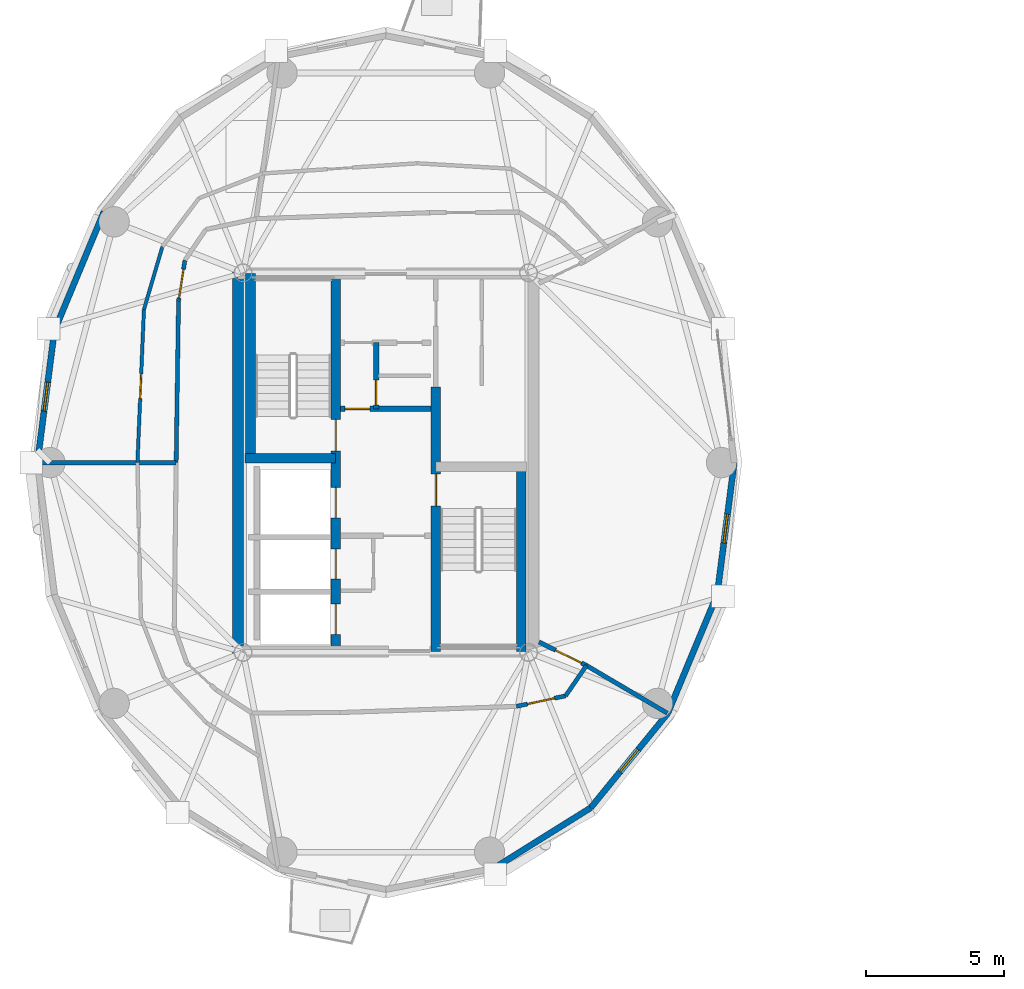
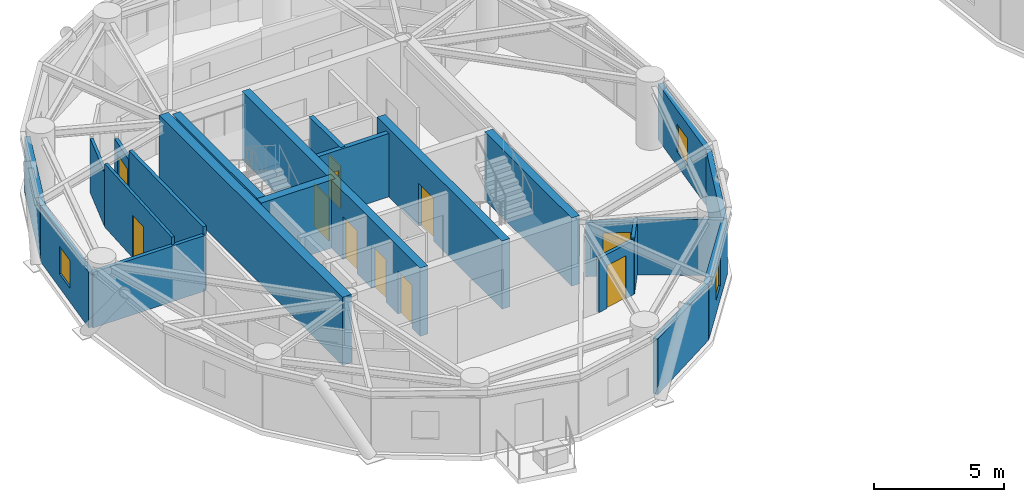
# One storey, part 8 of 16: 23 walls, 11 doors, 3 windows, 14 openings.
"""IFC4 building model written with IfcOpenShell, lengths in metres."""

from ifc_helpers import new_model, si_unit, direction, frame, frame_2d, origin, place, context, subcontext, project, spatial, rectangle, extrude, source, transform, mapped, material, layer, layer_set, type_object, element, fill, save


model = new_model("IFC4")

# Units and contexts
model_context = context("Model", 3, precision=1e-05, world=origin(), true_north=direction((0.0, 1.0)))
body_context = subcontext(model_context, "Body", "Model", "MODEL_VIEW")
ifc_project = project(units=[si_unit("LENGTHUNIT", "METRE"), si_unit("AREAUNIT", "SQUARE_METRE"), si_unit("VOLUMEUNIT", "CUBIC_METRE"), si_unit("PLANEANGLEUNIT", "RADIAN"), si_unit("MASSUNIT", "GRAM", prefix="KILO")], contexts=[model_context])

# Site, building, storey
site_placement = place(None, origin())
site = spatial("IfcSite", under=ifc_project, at=site_placement, CompositionType="ELEMENT")
building_placement = place(site_placement, origin())
building = spatial("IfcBuilding", under=site, at=building_placement, Name="Cununo Teusaquillo Station Towers", CompositionType="ELEMENT")
storey_placement = place(building_placement, frame((0.0, 0.0, 226.050048828125)))
storey = spatial("IfcBuildingStorey", under=building, at=storey_placement, Name="L72", CompositionType="ELEMENT", Elevation=226.050048828125)

# Wall, openings, doors
ifc_material_1 = material(Name="Concrete C50/60", Category="concrete")
ifc_layer_1 = layer(ifc_material_1, 0.35009765625)
ifc_layer_set_1 = layer_set([ifc_layer_1], Name="Concrete C50/60")
wall_type_1 = type_object("IfcWallType", Name="WL-CORE-350", PredefinedType="SHEAR", material=ifc_layer_set_1)
wall_1_placement = place(storey_placement, frame((14.68505859375, 17.64990234375, 0.0), z_axis=(0.0, 0.0, 1.0), x_axis=(0.0, 1.0, 0.0)))
wall_1 = element("IfcWall", 1, at=wall_1_placement, inside=storey, type_object=wall_type_1, Name="L72 Tower A Core Shear Wall IW", PredefinedType="SHEAR", context=body_context, shape_type="SweptSolid", body=[
    extrude(rectangle(XDim=13.7001953125, YDim=0.35009765625, at=frame_2d((6.85009765625, 0.0))), origin(), (0.0, 0.0, 1.0), 3.199951171875),
])
shared_shape_1 = source(origin(), body_context, "Body", "SweptSolid", [
    extrude(rectangle(XDim=1.10009765625, YDim=2.014892578125, at=frame_2d((0.550048828125, 1.00732421875))), frame((0.0, 0.18505859375, 0.0), z_axis=(0.0, -1.0, 0.0), x_axis=(1.0, 0.0, 0.0)), (0.0, 0.0, 1.0), 0.3701171875),
])
opening_1_placement = place(wall_1_placement, frame((4.85009765625, 0.0, 0.0)))
opening_1 = element("IfcOpeningElement", 2, at=opening_1_placement, cuts=wall_1, Name="Opening LD-01", PredefinedType="OPENING", context=body_context, shape_type="MappedRepresentation", body=[
    mapped(shared_shape_1, transform((0.0, 0.0, 0.0), x_axis=(1.0, 0.0, 0.0), y_axis=(0.0, 1.0, 0.0), z_axis=(0.0, 0.0, 1.0), scale=1.0)),
])
opening_2_placement = place(wall_1_placement, frame((0.625, 0.0, 0.0)))
opening_2 = element("IfcOpeningElement", 3, at=opening_2_placement, cuts=wall_1, Name="Opening LD-01", PredefinedType="OPENING", context=body_context, shape_type="MappedRepresentation", body=[
    mapped(shared_shape_1, transform((0.0, 0.0, 0.0), x_axis=(1.0, 0.0, 0.0), y_axis=(0.0, 1.0, 0.0), z_axis=(0.0, 0.0, 1.0), scale=1.0)),
])
opening_3_placement = place(wall_1_placement, frame((2.625, 0.0, 0.0)))
opening_3 = element("IfcOpeningElement", 4, at=opening_3_placement, cuts=wall_1, Name="Opening LD-01", PredefinedType="OPENING", context=body_context, shape_type="MappedRepresentation", body=[
    mapped(shared_shape_1, transform((0.0, 0.0, 0.0), x_axis=(1.0, 0.0, 0.0), y_axis=(0.0, 1.0, 0.0), z_axis=(0.0, 0.0, 1.0), scale=1.0)),
])
shared_shape_2 = source(origin(), body_context, "Body", "SweptSolid", [
    extrude(rectangle(XDim=1.14990234375, YDim=2.02001953125, at=frame_2d((0.574951171875, 1.010009765625))), frame((0.0, 0.18505859375, 0.0), z_axis=(0.0, -1.0, 0.0), x_axis=(1.0, 0.0, 0.0)), (0.0, 0.0, 1.0), 0.3701171875),
])
opening_4_placement = place(wall_1_placement, frame((7.27001953125, 0.0, 0.0)))
opening_4 = element("IfcOpeningElement", 5, at=opening_4_placement, cuts=wall_1, Name="Opening D-ST1", PredefinedType="OPENING", context=body_context, shape_type="MappedRepresentation", body=[
    mapped(shared_shape_2, transform((0.0, 0.0, 0.0), x_axis=(1.0, 0.0, 0.0), y_axis=(0.0, 1.0, 0.0), z_axis=(0.0, 0.0, 1.0), scale=1.0)),
])
ifc_material_2 = material(Name="Galvanised fire-rated hollow steel door assembly", Category="steel")
door_type_1 = type_object("IfcDoorType", Name="DR-LIFT-1100", OperationType="SLIDING_TO_LEFT", PredefinedType="DOOR", material=ifc_material_2)
shared_shape_3 = source(origin(), body_context, "Body", "SweptSolid", [
    extrude(rectangle(XDim=1.10009765625, YDim=2.014892578125, at=frame_2d((0.550048828125, 1.00732421875))), frame((0.0, 0.02490234375, 0.0), z_axis=(0.0, -1.0, 0.0), x_axis=(1.0, 0.0, 0.0)), (0.0, 0.0, 1.0), 0.050048828125),
])
door_1_placement = place(opening_1_placement, origin())
door_1 = element("IfcDoor", 6, at=door_1_placement, inside=storey, type_object=door_type_1, Name="L72 Lift FL-T1 Sliding Landing Door", OperationType="SLIDING_TO_LEFT", OverallHeight=2.014892578125, OverallWidth=1.10009765625, PredefinedType="DOOR", context=body_context, shape_type="MappedRepresentation", body=[
    mapped(shared_shape_3, transform((0.0, 0.0, 0.0), x_axis=(1.0, 0.0, 0.0), y_axis=(0.0, 1.0, 0.0), z_axis=(0.0, 0.0, 1.0), scale=1.0)),
])
fill(opening_1, door_1)
door_2_placement = place(opening_2_placement, origin())
door_2 = element("IfcDoor", 7, at=door_2_placement, inside=storey, type_object=door_type_1, Name="L72 Lift PL-T1-H1 Sliding Landing Door", OperationType="SLIDING_TO_LEFT", OverallHeight=2.014892578125, OverallWidth=1.10009765625, PredefinedType="DOOR", context=body_context, shape_type="MappedRepresentation", body=[
    mapped(shared_shape_3, transform((0.0, 0.0, 0.0), x_axis=(1.0, 0.0, 0.0), y_axis=(0.0, 1.0, 0.0), z_axis=(0.0, 0.0, 1.0), scale=1.0)),
])
fill(opening_2, door_2)
door_3_placement = place(opening_3_placement, origin())
door_3 = element("IfcDoor", 8, at=door_3_placement, inside=storey, type_object=door_type_1, Name="L72 Lift PL-T1-H2 Sliding Landing Door", OperationType="SLIDING_TO_RIGHT", OverallHeight=2.014892578125, OverallWidth=1.10009765625, PredefinedType="DOOR", context=body_context, shape_type="MappedRepresentation", body=[
    mapped(shared_shape_3, transform((0.0, 0.0, 0.0), x_axis=(1.0, 0.0, 0.0), y_axis=(0.0, 1.0, 0.0), z_axis=(0.0, 0.0, 1.0), scale=1.0)),
])
fill(opening_3, door_3)
ifc_material_3 = material(Name="Galvanised fire-rated hollow steel door assembly", Category="steel")
door_type_2 = type_object("IfcDoorType", Name="DR-STAIR-1150", OperationType="NOTDEFINED", PredefinedType="DOOR", material=ifc_material_3)
shared_shape_4 = source(origin(), body_context, "Body", "SweptSolid", [
    extrude(rectangle(XDim=1.14990234375, YDim=2.02001953125, at=frame_2d((0.574951171875, 1.010009765625))), frame((0.0, 0.02490234375, 0.0), z_axis=(0.0, -1.0, 0.0), x_axis=(1.0, 0.0, 0.0)), (0.0, 0.0, 1.0), 0.050048828125),
])
door_4_placement = place(opening_4_placement, origin())
door_4 = element("IfcDoor", 9, at=door_4_placement, inside=storey, type_object=door_type_2, Name="L72 Tower A Exit Stair 1 Fire Door", OperationType="SINGLE_SWING_RIGHT", OverallHeight=2.02001953125, OverallWidth=1.14990234375, PredefinedType="DOOR", context=body_context, shape_type="MappedRepresentation", body=[
    mapped(shared_shape_4, transform((0.0, 0.0, 0.0), x_axis=(1.0, 0.0, 0.0), y_axis=(0.0, 1.0, 0.0), z_axis=(0.0, 0.0, 1.0), scale=1.0)),
])
fill(opening_4, door_4)

# Wall, opening, door
wall_2_placement = place(storey_placement, frame((18.31494140625, 17.64990234375, 0.0), z_axis=(0.0, 0.0, 1.0), x_axis=(0.0, 1.0, 0.0)))
wall_2 = element("IfcWall", 10, at=wall_2_placement, inside=storey, type_object=wall_type_1, Name="L72 Tower A Core Shear Wall IE", PredefinedType="SHEAR", context=body_context, shape_type="SweptSolid", body=[
    extrude(rectangle(XDim=9.60009765625, YDim=0.35009765625, at=frame_2d((4.800048828125, 0.0))), origin(), (0.0, 0.0, 1.0), 3.199951171875),
])
opening_5_placement = place(wall_2_placement, frame((5.280029296875, 0.0, 0.0)))
opening_5 = element("IfcOpeningElement", 11, at=opening_5_placement, cuts=wall_2, Name="Opening D-ST1", PredefinedType="OPENING", context=body_context, shape_type="MappedRepresentation", body=[
    mapped(shared_shape_2, transform((0.0, 0.0, 0.0), x_axis=(1.0, 0.0, 0.0), y_axis=(0.0, 1.0, 0.0), z_axis=(0.0, 0.0, 1.0), scale=1.0)),
])
door_5_placement = place(opening_5_placement, origin())
door_5 = element("IfcDoor", 12, at=door_5_placement, inside=storey, type_object=door_type_2, Name="L72 Tower A Exit Stair 2 Fire Door", OperationType="SINGLE_SWING_LEFT", OverallHeight=2.02001953125, OverallWidth=1.14990234375, PredefinedType="DOOR", context=body_context, shape_type="MappedRepresentation", body=[
    mapped(shared_shape_4, transform((0.0, 0.0, 0.0), x_axis=(1.0, 0.0, 0.0), y_axis=(0.0, 1.0, 0.0), z_axis=(0.0, 0.0, 1.0), scale=1.0)),
])
fill(opening_5, door_5)

# Walls
wall_3_placement = place(storey_placement, frame((11.594970703125, 24.655029296875, 0.0), z_axis=(0.0, 0.0, 1.0), x_axis=(0.0, 1.0, 0.0)))
element("IfcWall", 13, at=wall_3_placement, inside=storey, type_object=wall_type_1, Name="L72 Tower A Core Shear Wall ST1W", PredefinedType="SHEAR", context=body_context, shape_type="SweptSolid", body=[
    extrude(rectangle(XDim=6.695068359375, YDim=0.35009765625, at=frame_2d((3.34765625, 0.0))), origin(), (0.0, 0.0, 1.0), 3.199951171875),
])
wall_4_placement = place(storey_placement, frame((11.39990234375, 24.655029296875, 0.0), z_axis=(0.0, 0.0, 1.0), x_axis=(1.0, 0.0, 0.0)))
element("IfcWall", 14, at=wall_4_placement, inside=storey, type_object=wall_type_1, Name="L72 Tower A Core Shear Wall ST1S", PredefinedType="SHEAR", context=body_context, shape_type="SweptSolid", body=[
    extrude(rectangle(XDim=3.28515625, YDim=0.35009765625, at=frame_2d((1.642578125, 0.0))), origin(), (0.0, 0.0, 1.0), 3.199951171875),
])
wall_5_placement = place(storey_placement, frame((21.405029296875, 17.64990234375, 0.0), z_axis=(0.0, 0.0, 1.0), x_axis=(0.0, 1.0, 0.0)))
element("IfcWall", 15, at=wall_5_placement, inside=storey, type_object=wall_type_1, Name="L72 Tower A Core Shear Wall ST2E", PredefinedType="SHEAR", context=body_context, shape_type="SweptSolid", body=[
    extrude(rectangle(XDim=6.695068359375, YDim=0.35009765625, at=frame_2d((3.34765625, 0.0))), origin(), (0.0, 0.0, 1.0), 3.199951171875),
])
ifc_material_4 = material(Name="Concrete C50/60", Category="concrete")
ifc_layer_2 = layer(ifc_material_4, 0.39990234375)
ifc_layer_set_2 = layer_set([ifc_layer_2], Name="Concrete C50/60")
wall_type_2 = type_object("IfcWallType", Name="WL-CORE-400", PredefinedType="SHEAR", material=ifc_layer_set_2)
wall_6_placement = place(storey_placement, frame((11.14990234375, 17.449951171875, 0.0), z_axis=(0.0, 0.0, 1.0), x_axis=(0.0, 1.0, 0.0)))
element("IfcWall", 16, at=wall_6_placement, inside=storey, type_object=wall_type_2, Name="L72 Tower A Core Shear Wall W", PredefinedType="SHEAR", context=body_context, shape_type="SweptSolid", body=[
    extrude(rectangle(XDim=14.10009765625, YDim=0.39990234375, at=frame_2d((7.050048828125, 0.0))), origin(), (0.0, 0.0, 1.0), 3.199951171875),
])
ifc_material_5 = material(Name="Precast concrete C40/50", Category="concrete")
ifc_layer_3 = layer(ifc_material_5, 0.219970703125)
ifc_layer_set_3 = layer_set([ifc_layer_3], Name="Precast concrete C40/50")
wall_type_3 = type_object("IfcWallType", Name="WL-EXT-220", PredefinedType="SOLIDWALL", material=ifc_layer_set_3)
wall_7_placement = place(storey_placement, frame((4.48828125, 29.280517578125, 0.0), z_axis=(0.0, 0.0, 1.0), x_axis=(0.384036305194, 0.923317993052, 0.0)))
element("IfcWall", 17, at=wall_7_placement, inside=storey, type_object=wall_type_3, Name="L72 Tower A Exterior Facade Wall C08", PredefinedType="SOLIDWALL", context=body_context, shape_type="SweptSolid", body=[
    extrude(rectangle(XDim=4.670654296875, YDim=0.219970703125, at=frame_2d((2.33544921875, 0.0))), origin(), (0.0, 0.0, 1.0), 2.612060546875),
])

# Wall, opening, window
wall_8_placement = place(storey_placement, frame((3.8701171875, 24.5, 0.0), z_axis=(0.0, 0.0, 1.0), x_axis=(0.128241318541, 0.991742993027, 0.0)))
wall_8 = element("IfcWall", 18, at=wall_8_placement, inside=storey, type_object=wall_type_3, Name="L72 Tower A Exterior Facade Wall C09", PredefinedType="SOLIDWALL", context=body_context, shape_type="SweptSolid", body=[
    extrude(rectangle(XDim=4.8203125, YDim=0.219970703125, at=frame_2d((2.41015625, 0.0))), origin(), (0.0, 0.0, 1.0), 2.612060546875),
])
shared_shape_5 = source(origin(), body_context, "Body", "SweptSolid", [
    extrude(rectangle(XDim=1.050048828125, YDim=1.300048828125, at=frame_2d((0.52490234375, 0.64990234375))), frame((0.0, 0.119873046875, 0.0), z_axis=(0.0, -1.0, 0.0), x_axis=(1.0, 0.0, 0.0)), (0.0, 0.0, 1.0), 0.239990234375),
])
opening_6_placement = place(wall_8_placement, frame((1.885009765625, 0.0, 0.64990234375)))
opening_6 = element("IfcOpeningElement", 19, at=opening_6_placement, cuts=wall_8, Name="Opening WN-04", PredefinedType="OPENING", context=body_context, shape_type="MappedRepresentation", body=[
    mapped(shared_shape_5, transform((0.0, 0.0, 0.0), x_axis=(1.0, 0.0, 0.0), y_axis=(0.0, 1.0, 0.0), z_axis=(0.0, 0.0, 1.0), scale=1.0)),
])
ifc_material_6 = material(Name="Operable acoustic tinted low-E double glazing", Category="glass")
window_type = type_object("IfcWindowType", Name="WIN-BAL-1050", PartitioningType="SINGLE_PANEL", PredefinedType="WINDOW", material=ifc_material_6)
shared_shape_6 = source(origin(), body_context, "Body", "SweptSolid", [
    extrude(rectangle(XDim=1.050048828125, YDim=1.300048828125, at=frame_2d((0.52490234375, 0.64990234375))), frame((0.0, 0.030029296875, 0.0), z_axis=(0.0, -1.0, 0.0), x_axis=(1.0, 0.0, 0.0)), (0.0, 0.0, 1.0), 0.06005859375),
])
window_1_placement = place(opening_6_placement, origin())
window_1 = element("IfcWindow", 20, at=window_1_placement, inside=storey, type_object=window_type, Name="L72 Tower A Facade Window C09", OverallHeight=1.300048828125, OverallWidth=1.050048828125, PartitioningType="SINGLE_PANEL", PredefinedType="WINDOW", context=body_context, shape_type="MappedRepresentation", body=[
    mapped(shared_shape_6, transform((0.0, 0.0, 0.0), x_axis=(1.0, 0.0, 0.0), y_axis=(0.0, 1.0, 0.0), z_axis=(0.0, 0.0, 1.0), scale=1.0)),
])
fill(opening_6, window_1)

# Wall
wall_9_placement = place(storey_placement, frame((23.923583984375, 11.984619140625, 0.0), z_axis=(0.0, 0.0, 1.0), x_axis=(-0.848318713376, -0.529485939886, 0.0)))
element("IfcWall", 21, at=wall_9_placement, inside=storey, type_object=wall_type_3, Name="L72 Tower A Exterior Facade Wall C16", PredefinedType="SOLIDWALL", context=body_context, shape_type="SweptSolid", body=[
    extrude(rectangle(XDim=4.150390625, YDim=0.219970703125, at=frame_2d((2.0751953125, 0.0))), origin(), (0.0, 0.0, 1.0), 2.612060546875),
])

# Wall, opening, window
wall_10_placement = place(storey_placement, frame((26.718017578125, 15.406982421875, 0.0), z_axis=(0.0, 0.0, 1.0), x_axis=(-0.632467166636, -0.774587169483, 0.0)))
wall_10 = element("IfcWall", 22, at=wall_10_placement, inside=storey, type_object=wall_type_3, Name="L72 Tower A Exterior Facade Wall C17", PredefinedType="SOLIDWALL", context=body_context, shape_type="SweptSolid", body=[
    extrude(rectangle(XDim=4.418212890625, YDim=0.219970703125, at=frame_2d((2.208984375, 0.0))), origin(), (0.0, 0.0, 1.0), 2.612060546875),
])
opening_7_placement = place(wall_10_placement, frame((1.68408203125, 0.0, 0.64990234375)))
opening_7 = element("IfcOpeningElement", 23, at=opening_7_placement, cuts=wall_10, Name="Opening WN-04", PredefinedType="OPENING", context=body_context, shape_type="MappedRepresentation", body=[
    mapped(shared_shape_5, transform((0.0, 0.0, 0.0), x_axis=(1.0, 0.0, 0.0), y_axis=(0.0, 1.0, 0.0), z_axis=(0.0, 0.0, 1.0), scale=1.0)),
])
window_2_placement = place(opening_7_placement, origin())
window_2 = element("IfcWindow", 24, at=window_2_placement, inside=storey, type_object=window_type, Name="L72 Tower A Facade Window C17", OverallHeight=1.300048828125, OverallWidth=1.050048828125, PartitioningType="SINGLE_PANEL", PredefinedType="WINDOW", context=body_context, shape_type="MappedRepresentation", body=[
    mapped(shared_shape_6, transform((0.0, 0.0, 0.0), x_axis=(1.0, 0.0, 0.0), y_axis=(0.0, 1.0, 0.0), z_axis=(0.0, 0.0, 1.0), scale=1.0)),
])
fill(opening_7, window_2)

# Wall
wall_11_placement = place(storey_placement, frame((28.51171875, 19.719482421875, 0.0), z_axis=(0.0, 0.0, 1.0), x_axis=(-0.384036305194, -0.923317993052, 0.0)))
element("IfcWall", 25, at=wall_11_placement, inside=storey, type_object=wall_type_3, Name="L72 Tower A Exterior Facade Wall C18", PredefinedType="SOLIDWALL", context=body_context, shape_type="SweptSolid", body=[
    extrude(rectangle(XDim=4.670654296875, YDim=0.219970703125, at=frame_2d((2.33544921875, 0.0))), origin(), (0.0, 0.0, 1.0), 2.612060546875),
])

# Wall, opening, window
wall_12_placement = place(storey_placement, frame((29.1298828125, 24.5, 0.0), z_axis=(0.0, 0.0, 1.0), x_axis=(-0.128241318541, -0.991742993027, 0.0)))
wall_12 = element("IfcWall", 26, at=wall_12_placement, inside=storey, type_object=wall_type_3, Name="L72 Tower A Exterior Facade Wall C19", PredefinedType="SOLIDWALL", context=body_context, shape_type="SweptSolid", body=[
    extrude(rectangle(XDim=4.8203125, YDim=0.219970703125, at=frame_2d((2.41015625, 0.0))), origin(), (0.0, 0.0, 1.0), 2.612060546875),
])
opening_8_placement = place(wall_12_placement, frame((1.885009765625, 0.0, 0.64990234375)))
opening_8 = element("IfcOpeningElement", 27, at=opening_8_placement, cuts=wall_12, Name="Opening WN-04", PredefinedType="OPENING", context=body_context, shape_type="MappedRepresentation", body=[
    mapped(shared_shape_5, transform((0.0, 0.0, 0.0), x_axis=(1.0, 0.0, 0.0), y_axis=(0.0, 1.0, 0.0), z_axis=(0.0, 0.0, 1.0), scale=1.0)),
])
window_3_placement = place(opening_8_placement, origin())
window_3 = element("IfcWindow", 28, at=window_3_placement, inside=storey, type_object=window_type, Name="L72 Tower A Facade Window C19", OverallHeight=1.300048828125, OverallWidth=1.050048828125, PartitioningType="SINGLE_PANEL", PredefinedType="WINDOW", context=body_context, shape_type="MappedRepresentation", body=[
    mapped(shared_shape_6, transform((0.0, 0.0, 0.0), x_axis=(1.0, 0.0, 0.0), y_axis=(0.0, 1.0, 0.0), z_axis=(0.0, 0.0, 1.0), scale=1.0)),
])
fill(opening_8, window_3)

# Wall
ifc_material_7 = material(Name="Fire-rated gypsum plasterboard partition assembly", Category="gypsum")
ifc_layer_4 = layer(ifc_material_7, 0.125)
ifc_layer_set_4 = layer_set([ifc_layer_4], Name="Fire-rated gypsum plasterboard partition assembly")
wall_type_4 = type_object("IfcWallType", Name="WL-PART-125", PredefinedType="PARTITIONING", material=ifc_layer_set_4)
wall_13_placement = place(storey_placement, frame((8.40087890625, 32.32568359375, 0.0), z_axis=(0.0, 0.0, 1.0), x_axis=(-0.281681886596, -0.959507850288, 0.0)))
element("IfcWall", 29, at=wall_13_placement, inside=storey, type_object=wall_type_4, Name="L72 Tower A Chef Tasting Counter & Wine Vault Concentric Partition Wall C08", PredefinedType="PARTITIONING", context=body_context, shape_type="SweptSolid", body=[
    extrude(rectangle(XDim=2.3740234375, YDim=0.125, at=frame_2d((1.18701171875, 0.0))), origin(), (0.0, 0.0, 1.0), 2.544921875),
])

# Wall, opening, door
wall_14_placement = place(storey_placement, frame((7.732177734375, 30.0478515625, 0.0), z_axis=(0.0, 0.0, 1.0), x_axis=(-0.042296211955, -0.999105114817, 0.0)))
wall_14 = element("IfcWall", 30, at=wall_14_placement, inside=storey, type_object=wall_type_4, Name="L72 Tower A Chef Tasting Counter & Wine Vault Concentric Partition Wall C09", PredefinedType="PARTITIONING", context=body_context, shape_type="SweptSolid", body=[
    extrude(rectangle(XDim=5.552734375, YDim=0.125, at=frame_2d((2.7763671875, 0.0))), origin(), (0.0, 0.0, 1.0), 2.974853515625),
])
shared_shape_7 = source(origin(), body_context, "Body", "SweptSolid", [
    extrude(rectangle(XDim=0.89990234375, YDim=2.0048828125, at=frame_2d((0.449951171875, 1.00244140625))), frame((0.0, 0.072509765625, 0.0), z_axis=(0.0, -1.0, 0.0), x_axis=(1.0, 0.0, 0.0)), (0.0, 0.0, 1.0), 0.14501953125),
])
opening_9_placement = place(wall_14_placement, frame((2.326416015625, 0.0, 0.0)))
opening_9 = element("IfcOpeningElement", 31, at=opening_9_placement, cuts=wall_14, Name="Opening D-IN1", PredefinedType="OPENING", context=body_context, shape_type="MappedRepresentation", body=[
    mapped(shared_shape_7, transform((0.0, 0.0, 0.0), x_axis=(1.0, 0.0, 0.0), y_axis=(0.0, 1.0, 0.0), z_axis=(0.0, 0.0, 1.0), scale=1.0)),
])
ifc_material_8 = material(Name="Acoustic solid-core hardwood leaf assembly", Category="wood")
door_type_3 = type_object("IfcDoorType", Name="DR-INT-900", OperationType="NOTDEFINED", PredefinedType="DOOR", material=ifc_material_8)
shared_shape_8 = source(origin(), body_context, "Body", "SweptSolid", [
    extrude(rectangle(XDim=0.89990234375, YDim=2.0048828125, at=frame_2d((0.449951171875, 1.00244140625))), frame((0.0, 0.02490234375, 0.0), z_axis=(0.0, -1.0, 0.0), x_axis=(1.0, 0.0, 0.0)), (0.0, 0.0, 1.0), 0.050048828125),
])
door_6_placement = place(opening_9_placement, origin())
door_6 = element("IfcDoor", 32, at=door_6_placement, inside=storey, type_object=door_type_3, Name="L72 Tower A Chef Tasting Counter & Wine Vault Connecting Door", OperationType="SINGLE_SWING_RIGHT", OverallHeight=2.0048828125, OverallWidth=0.89990234375, PredefinedType="DOOR", context=body_context, shape_type="MappedRepresentation", body=[
    mapped(shared_shape_8, transform((0.0, 0.0, 0.0), x_axis=(1.0, 0.0, 0.0), y_axis=(0.0, 1.0, 0.0), z_axis=(0.0, 0.0, 1.0), scale=1.0)),
])
fill(opening_9, door_6)

ifc_material_9 = material(Name="Fire-rated gypsum plasterboard partition assembly", Category="gypsum")
ifc_layer_5 = layer(ifc_material_9, 0.14990234375)
ifc_layer_set_5 = layer_set([ifc_layer_5], Name="Fire-rated gypsum plasterboard partition assembly")
wall_type_5 = type_object("IfcWallType", Name="WL-PART-150", PredefinedType="PARTITIONING", material=ifc_layer_set_5)
wall_15_placement = place(storey_placement, frame((9.218505859375, 31.837646484375, 0.0), z_axis=(0.0, 0.0, 1.0), x_axis=(-0.154065528966, -0.98806063214, 0.0)))
wall_15 = element("IfcWall", 33, at=wall_15_placement, inside=storey, type_object=wall_type_5, Name="L72 Tower A Corridor Ring Wall C08", PredefinedType="PARTITIONING", context=body_context, shape_type="SweptSolid", body=[
    extrude(rectangle(XDim=1.507080078125, YDim=0.14990234375, at=frame_2d((0.75341796875, 0.0))), origin(), (0.0, 0.0, 1.0), 2.544921875),
])
shared_shape_9 = source(origin(), body_context, "Body", "SweptSolid", [
    extrude(rectangle(XDim=1.050048828125, YDim=2.014892578125, at=frame_2d((0.52490234375, 1.00732421875))), frame((0.0, 0.0849609375, 0.0), z_axis=(0.0, -1.0, 0.0), x_axis=(1.0, 0.0, 0.0)), (0.0, 0.0, 1.0), 0.169921875),
])
opening_10_placement = place(wall_15_placement, frame((0.3369140625, 0.0, 0.0)))
opening_10 = element("IfcOpeningElement", 34, at=opening_10_placement, cuts=wall_15, Name="Opening D-SU1", PredefinedType="OPENING", context=body_context, shape_type="MappedRepresentation", body=[
    mapped(shared_shape_9, transform((0.0, 0.0, 0.0), x_axis=(1.0, 0.0, 0.0), y_axis=(0.0, 1.0, 0.0), z_axis=(0.0, 0.0, 1.0), scale=1.0)),
])
ifc_material_10 = material(Name="Acoustic solid-core hardwood leaf assembly", Category="wood")
door_type_4 = type_object("IfcDoorType", Name="DR-SUITE-1050", OperationType="NOTDEFINED", PredefinedType="DOOR", material=ifc_material_10)
shared_shape_10 = source(origin(), body_context, "Body", "SweptSolid", [
    extrude(rectangle(XDim=1.050048828125, YDim=2.014892578125, at=frame_2d((0.52490234375, 1.00732421875))), frame((0.0, 0.02490234375, 0.0), z_axis=(0.0, -1.0, 0.0), x_axis=(1.0, 0.0, 0.0)), (0.0, 0.0, 1.0), 0.050048828125),
])
door_7_placement = place(opening_10_placement, origin())
door_7 = element("IfcDoor", 35, at=door_7_placement, inside=storey, type_object=door_type_4, Name="L72 Tower A Chef Tasting Counter & Wine Vault Entrance Door", OperationType="SINGLE_SWING_LEFT", OverallHeight=2.014892578125, OverallWidth=1.050048828125, PredefinedType="DOOR", context=body_context, shape_type="MappedRepresentation", body=[
    mapped(shared_shape_10, transform((0.0, 0.0, 0.0), x_axis=(1.0, 0.0, 0.0), y_axis=(0.0, 1.0, 0.0), z_axis=(0.0, 0.0, 1.0), scale=1.0)),
])
fill(opening_10, door_7)

# Wall
wall_16_placement = place(storey_placement, frame((8.986328125, 30.3486328125, 0.0), z_axis=(0.0, 0.0, 1.0), x_axis=(-0.014775478218, -0.999890836663, 0.0)))
element("IfcWall", 36, at=wall_16_placement, inside=storey, type_object=wall_type_5, Name="L72 Tower A Corridor Ring Wall C09", PredefinedType="PARTITIONING", context=body_context, shape_type="SweptSolid", body=[
    extrude(rectangle(XDim=5.849365234375, YDim=0.14990234375, at=frame_2d((2.9248046875, 0.0))), origin(), (0.0, 0.0, 1.0), 2.974853515625),
])

# Wall, opening, door
wall_17_placement = place(storey_placement, frame((21.23388671875, 15.664306640625, 0.0), z_axis=(0.0, 0.0, 1.0), x_axis=(0.977931581182, 0.208925399431, 0.0)))
wall_17 = element("IfcWall", 37, at=wall_17_placement, inside=storey, type_object=wall_type_5, Name="L72 Tower A Corridor Ring Wall C16", PredefinedType="PARTITIONING", context=body_context, shape_type="SweptSolid", body=[
    extrude(rectangle(XDim=1.822998046875, YDim=0.14990234375, at=frame_2d((0.91162109375, 0.0))), origin(), (0.0, 0.0, 1.0), 2.544921875),
])
shared_shape_11 = source(origin(), body_context, "Body", "SweptSolid", [
    extrude(rectangle(XDim=1.0, YDim=2.014892578125, at=frame_2d((0.5, 1.00732421875))), frame((0.0, 0.0849609375, 0.0), z_axis=(0.0, -1.0, 0.0), x_axis=(1.0, 0.0, 0.0)), (0.0, 0.0, 1.0), 0.169921875),
])
opening_11_placement = place(wall_17_placement, frame((0.41162109375, 0.0, 0.0)))
opening_11 = element("IfcOpeningElement", 38, at=opening_11_placement, cuts=wall_17, Name="Opening D-AC1", PredefinedType="OPENING", context=body_context, shape_type="MappedRepresentation", body=[
    mapped(shared_shape_11, transform((0.0, 0.0, 0.0), x_axis=(1.0, 0.0, 0.0), y_axis=(0.0, 1.0, 0.0), z_axis=(0.0, 0.0, 1.0), scale=1.0)),
])
ifc_material_11 = material(Name="Acoustic solid-core hardwood leaf assembly", Category="wood")
door_type_5 = type_object("IfcDoorType", Name="DR-ACC-1000", OperationType="NOTDEFINED", PredefinedType="DOOR", material=ifc_material_11)
shared_shape_12 = source(origin(), body_context, "Body", "SweptSolid", [
    extrude(rectangle(XDim=1.0, YDim=2.014892578125, at=frame_2d((0.5, 1.00732421875))), frame((0.0, 0.02490234375, 0.0), z_axis=(0.0, -1.0, 0.0), x_axis=(1.0, 0.0, 0.0)), (0.0, 0.0, 1.0), 0.050048828125),
])
door_8_placement = place(opening_11_placement, origin())
door_8 = element("IfcDoor", 39, at=door_8_placement, inside=storey, type_object=door_type_5, Name="L72 Tower A Public Accessible Restroom WC Entrance Door", OperationType="SINGLE_SWING_LEFT", OverallHeight=2.014892578125, OverallWidth=1.0, PredefinedType="DOOR", context=body_context, shape_type="MappedRepresentation", body=[
    mapped(shared_shape_12, transform((0.0, 0.0, 0.0), x_axis=(1.0, 0.0, 0.0), y_axis=(0.0, 1.0, 0.0), z_axis=(0.0, 0.0, 1.0), scale=1.0)),
])
fill(opening_11, door_8)

# Walls
wall_18_placement = place(storey_placement, frame((23.0166015625, 16.045166015625, 0.0), z_axis=(0.0, 0.0, 1.0), x_axis=(0.566660656138, 0.823951273308, 0.0)))
element("IfcWall", 40, at=wall_18_placement, inside=storey, type_object=wall_type_5, Name="L72 Tower A Corridor Ring Wall C17", PredefinedType="PARTITIONING", context=body_context, shape_type="SweptSolid", body=[
    extrude(rectangle(XDim=1.3359375, YDim=0.14990234375, at=frame_2d((0.66796875, 0.0))), origin(), (0.0, 0.0, 1.0), 2.612060546875),
])
ifc_material_12 = material(Name="Fire-rated gypsum plasterboard partition assembly", Category="gypsum")
ifc_layer_6 = layer(ifc_material_12, 0.159912109375)
ifc_layer_set_6 = layer_set([ifc_layer_6], Name="Fire-rated gypsum plasterboard partition assembly")
wall_type_6 = type_object("IfcWallType", Name="WL-PART-160", PredefinedType="PARTITIONING", material=ifc_layer_set_6)
wall_19_placement = place(storey_placement, frame((8.89990234375, 24.5, 0.0), z_axis=(0.0, 0.0, 1.0), x_axis=(-1.0, 0.0, 0.0)))
element("IfcWall", 41, at=wall_19_placement, inside=storey, type_object=wall_type_6, Name="L72 Tower A Radial Suite Partition R03", PredefinedType="PARTITIONING", context=body_context, shape_type="SweptSolid", body=[
    extrude(rectangle(XDim=5.010009765625, YDim=0.159912109375, at=frame_2d((2.5048828125, 0.0))), origin(), (0.0, 0.0, 1.0), 2.612060546875),
])
wall_20_placement = place(storey_placement, frame((23.773681640625, 17.14599609375, 0.0), z_axis=(0.0, 0.0, 1.0), x_axis=(0.861296601099, -0.508102514198, 0.0)))
element("IfcWall", 42, at=wall_20_placement, inside=storey, type_object=wall_type_6, Name="L72 Tower A Radial Suite Partition R05", PredefinedType="PARTITIONING", context=body_context, shape_type="SweptSolid", body=[
    extrude(rectangle(XDim=3.3994140625, YDim=0.159912109375, at=frame_2d((1.69970703125, 0.0))), origin(), (0.0, 0.0, 1.0), 2.612060546875),
])

# Wall, opening, door
wall_21_placement = place(storey_placement, frame((22.050048828125, 18.0, 0.0), z_axis=(0.0, 0.0, 1.0), x_axis=(0.896045848613, -0.443961526692, 0.0)))
wall_21 = element("IfcWall", 43, at=wall_21_placement, inside=storey, type_object=wall_type_6, Name="L72 Tower A East Salon Corridor Portal Wall SE", PredefinedType="PARTITIONING", context=body_context, shape_type="SweptSolid", body=[
    extrude(rectangle(XDim=1.923583984375, YDim=0.159912109375, at=frame_2d((0.9619140625, 0.0))), origin(), (0.0, 0.0, 1.0), 2.544921875),
])
shared_shape_13 = source(origin(), body_context, "Body", "SweptSolid", [
    extrude(rectangle(XDim=1.050048828125, YDim=2.014892578125, at=frame_2d((0.52490234375, 1.00732421875))), frame((0.0, 0.08984375, 0.0), z_axis=(0.0, -1.0, 0.0), x_axis=(1.0, 0.0, 0.0)), (0.0, 0.0, 1.0), 0.179931640625),
])
opening_12_placement = place(wall_21_placement, frame((0.673583984375, 0.0, 0.0)))
opening_12 = element("IfcOpeningElement", 44, at=opening_12_placement, cuts=wall_21, Name="Opening D-SU1", PredefinedType="OPENING", context=body_context, shape_type="MappedRepresentation", body=[
    mapped(shared_shape_13, transform((0.0, 0.0, 0.0), x_axis=(1.0, 0.0, 0.0), y_axis=(0.0, 1.0, 0.0), z_axis=(0.0, 0.0, 1.0), scale=1.0)),
])
door_9_placement = place(opening_12_placement, origin())
door_9 = element("IfcDoor", 45, at=door_9_placement, inside=storey, type_object=door_type_4, Name="L72 Tower A East Panorama Sky Salon Door SE", OperationType="SINGLE_SWING_RIGHT", OverallHeight=2.014892578125, OverallWidth=1.050048828125, PredefinedType="DOOR", context=body_context, shape_type="MappedRepresentation", body=[
    mapped(shared_shape_10, transform((0.0, 0.0, 0.0), x_axis=(1.0, 0.0, 0.0), y_axis=(0.0, 1.0, 0.0), z_axis=(0.0, 0.0, 1.0), scale=1.0)),
])
fill(opening_12, door_9)

ifc_material_13 = material(Name="Fire-rated gypsum plasterboard partition assembly", Category="gypsum")
ifc_layer_7 = layer(ifc_material_13, 0.199951171875)
ifc_layer_set_7 = layer_set([ifc_layer_7], Name="Fire-rated gypsum plasterboard partition assembly")
wall_type_7 = type_object("IfcWallType", Name="WL-PART-200", PredefinedType="PARTITIONING", material=ifc_layer_set_7)
wall_22_placement = place(storey_placement, frame((14.860107421875, 26.449951171875, 0.0), z_axis=(0.0, 0.0, 1.0), x_axis=(1.0, 0.0, 0.0)))
wall_22 = element("IfcWall", 46, at=wall_22_placement, inside=storey, type_object=wall_type_7, Name="L72 Tower A Firefighting Lift Lobby North Fire Wall", PredefinedType="PARTITIONING", context=body_context, shape_type="SweptSolid", body=[
    extrude(rectangle(XDim=3.27978515625, YDim=0.199951171875, at=frame_2d((1.639892578125, 0.0))), origin(), (0.0, 0.0, 1.0), 2.974853515625),
])
shared_shape_14 = source(origin(), body_context, "Body", "SweptSolid", [
    extrude(rectangle(XDim=0.89990234375, YDim=2.0048828125, at=frame_2d((0.449951171875, 1.00244140625))), frame((0.0, 0.10986328125, 0.0), z_axis=(0.0, -1.0, 0.0), x_axis=(1.0, 0.0, 0.0)), (0.0, 0.0, 1.0), 0.219970703125),
])
opening_13_placement = place(wall_22_placement, frame((0.159912109375, 0.0, 0.0)))
opening_13 = element("IfcOpeningElement", 47, at=opening_13_placement, cuts=wall_22, Name="Opening D-SR1", PredefinedType="OPENING", context=body_context, shape_type="MappedRepresentation", body=[
    mapped(shared_shape_14, transform((0.0, 0.0, 0.0), x_axis=(1.0, 0.0, 0.0), y_axis=(0.0, 1.0, 0.0), z_axis=(0.0, 0.0, 1.0), scale=1.0)),
])
ifc_material_14 = material(Name="Galvanised fire-rated hollow steel door assembly", Category="steel")
door_type_6 = type_object("IfcDoorType", Name="DR-STORE-900", OperationType="NOTDEFINED", PredefinedType="DOOR", material=ifc_material_14)
door_10_placement = place(opening_13_placement, origin())
door_10 = element("IfcDoor", 48, at=door_10_placement, inside=storey, type_object=door_type_6, Name="L72 Tower A Stair 1 Protected Vestibule South Door", OperationType="SINGLE_SWING_RIGHT", OverallHeight=2.0048828125, OverallWidth=0.89990234375, PredefinedType="DOOR", context=body_context, shape_type="MappedRepresentation", body=[
    mapped(shared_shape_8, transform((0.0, 0.0, 0.0), x_axis=(1.0, 0.0, 0.0), y_axis=(0.0, 1.0, 0.0), z_axis=(0.0, 0.0, 1.0), scale=1.0)),
])
fill(opening_13, door_10)

wall_23_placement = place(storey_placement, frame((16.14990234375, 26.449951171875, 0.0), z_axis=(0.0, 0.0, 1.0), x_axis=(0.0, 1.0, 0.0)))
wall_23 = element("IfcWall", 49, at=wall_23_placement, inside=storey, type_object=wall_type_7, Name="L72 Tower A Stair 1 Vestibule Partition Wall", PredefinedType="PARTITIONING", context=body_context, shape_type="SweptSolid", body=[
    extrude(rectangle(XDim=2.400146484375, YDim=0.199951171875, at=frame_2d((1.2001953125, 0.0))), origin(), (0.0, 0.0, 1.0), 2.974853515625),
])
opening_14_placement = place(wall_23_placement, frame((0.139892578125, 0.0, 0.0)))
opening_14 = element("IfcOpeningElement", 50, at=opening_14_placement, cuts=wall_23, Name="Opening D-SR1", PredefinedType="OPENING", context=body_context, shape_type="MappedRepresentation", body=[
    mapped(shared_shape_14, transform((0.0, 0.0, 0.0), x_axis=(1.0, 0.0, 0.0), y_axis=(0.0, 1.0, 0.0), z_axis=(0.0, 0.0, 1.0), scale=1.0)),
])
door_11_placement = place(opening_14_placement, origin())
door_11 = element("IfcDoor", 51, at=door_11_placement, inside=storey, type_object=door_type_6, Name="L72 Tower A Core Linen Store Door", OperationType="SINGLE_SWING_LEFT", OverallHeight=2.0048828125, OverallWidth=0.89990234375, PredefinedType="DOOR", context=body_context, shape_type="MappedRepresentation", body=[
    mapped(shared_shape_8, transform((0.0, 0.0, 0.0), x_axis=(1.0, 0.0, 0.0), y_axis=(0.0, 1.0, 0.0), z_axis=(0.0, 0.0, 1.0), scale=1.0)),
])
fill(opening_14, door_11)

save(model, "model.ifc")
